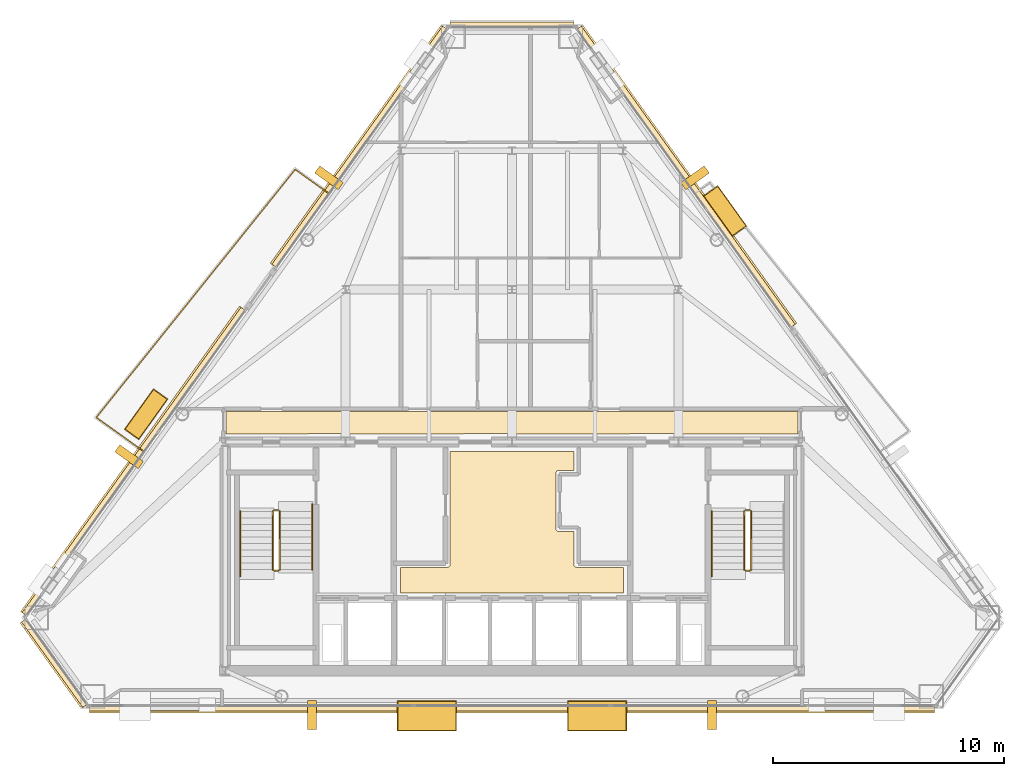
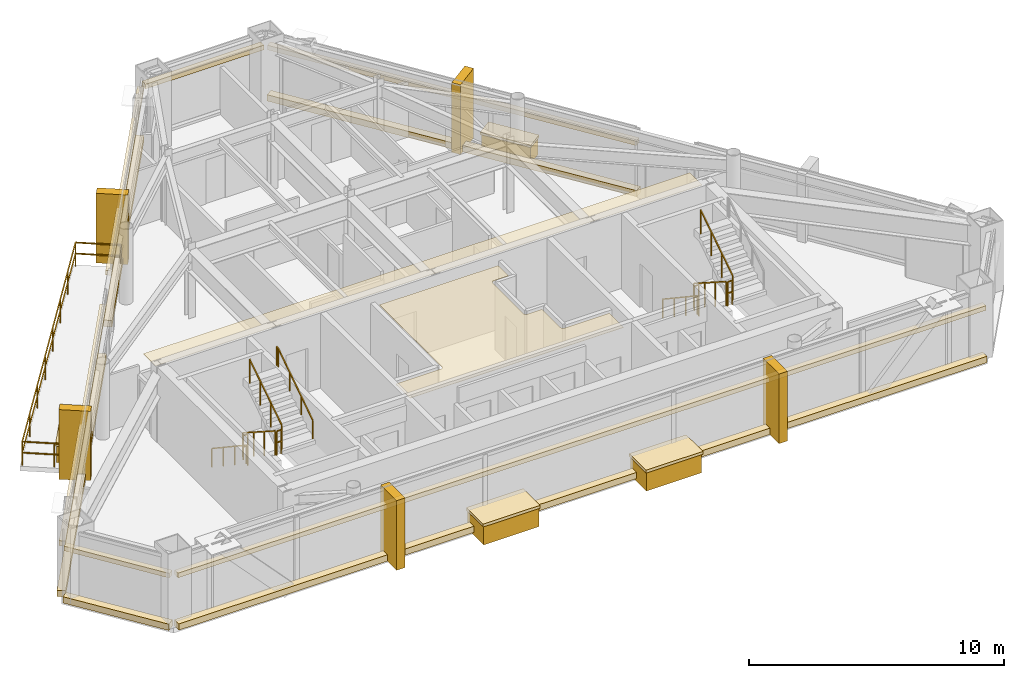
# One storey, part 10 of 11: 26 coverings, 12 railings.
"""IFC4 building model written with IfcOpenShell, lengths in metres."""

from ifc_helpers import new_model, si_unit, direction, frame, origin, origin_2d, place, context, subcontext, project, spatial, polyline, rectangle, outline, extrude, material, layer, layer_set, type_object, element, save


model = new_model("IFC4")

# Units and contexts
model_context = context("Model", 3, precision=1e-05, world=origin(), true_north=direction((0.0, 1.0)))
body_context = subcontext(model_context, "Body", "Model", "MODEL_VIEW")
ifc_project = project(units=[si_unit("LENGTHUNIT", "METRE"), si_unit("AREAUNIT", "SQUARE_METRE"), si_unit("VOLUMEUNIT", "CUBIC_METRE"), si_unit("PLANEANGLEUNIT", "RADIAN"), si_unit("MASSUNIT", "GRAM", prefix="KILO")], contexts=[model_context])

# Site, building, storey
site_placement = place(None, origin())
site = spatial("IfcSite", under=ifc_project, at=site_placement, CompositionType="ELEMENT")
building_placement = place(site_placement, origin())
building = spatial("IfcBuilding", under=site, at=building_placement, Name="Talgorran Terracotta Tower", CompositionType="ELEMENT")
storey_placement = place(building_placement, frame((0.0, 0.0, 240.60009765625)))
storey = spatial("IfcBuildingStorey", under=building, at=storey_placement, Name="L63", CompositionType="ELEMENT", Elevation=240.60009765625)

# Coverings
ifc_material_1 = material(Name="Kiln-Fired Terracotta Ochre Ceramic", Category="masonry")
ifc_layer_1 = layer(ifc_material_1, 0.179931640625, Name="COV_BAGUETTE_TERRACOTTA_SCREEN")
ifc_layer_set_1 = layer_set([ifc_layer_1], Name="Kiln-Fired Terracotta Ochre Ceramic")
covering_type_1 = type_object("IfcCoveringType", Name="COV_BAGUETTE_TERRACOTTA_SCREEN", PredefinedType="CLADDING", material=ifc_layer_set_1)
covering_1_placement = place(storey_placement, frame((-19.7880859375, -13.76318359375, 2.41015625), z_axis=(0.0, 0.0, 1.0), x_axis=(0.582662110936, -0.812714503673, 0.0)))
element("IfcCovering", 1, at=covering_1_placement, inside=storey, type_object=covering_type_1, Name="L63 Terracotta Baguette Solar Screen Assembly F0", PredefinedType="CLADDING", context=body_context, shape_type="SweptSolid", body=[
    extrude(rectangle(XDim=4.542724609375, YDim=0.260009765625, at=origin_2d()), origin(), (0.0, 0.0, 1.0), 0.219970703125),
])
covering_2_placement = place(storey_placement, frame((0.0, -15.707763671875, 2.41015625), z_axis=(0.0, 0.0, 1.0), x_axis=(1.0, 0.0, 0.0)))
element("IfcCovering", 2, at=covering_2_placement, inside=storey, type_object=covering_type_1, Name="L63 Terracotta Baguette Solar Screen Assembly F1", PredefinedType="CLADDING", context=body_context, shape_type="SweptSolid", body=[
    extrude(rectangle(XDim=36.545166015625, YDim=0.260009765625, at=origin_2d()), origin(), (0.0, 0.0, 1.0), 0.219970703125),
])
covering_3_placement = place(storey_placement, frame((7.521728515625, 7.2685546875, 2.41015625), z_axis=(0.0, 0.0, 1.0), x_axis=(-0.582662110936, 0.812714503673, 0.0)))
element("IfcCovering", 3, at=covering_3_placement, inside=storey, type_object=covering_type_1, Name="L63 Terracotta Baguette Solar Screen Assembly F41", PredefinedType="CLADDING", context=body_context, shape_type="SweptSolid", body=[
    extrude(rectangle(XDim=15.8701171875, YDim=0.260009765625, at=origin_2d()), origin(), (0.0, 0.0, 1.0), 0.219970703125),
])
covering_4_placement = place(storey_placement, frame((0.0, 13.8486328125, 2.41015625), z_axis=(0.0, 0.0, 1.0), x_axis=(-1.0, 0.0, 0.0)))
element("IfcCovering", 4, at=covering_4_placement, inside=storey, type_object=covering_type_1, Name="L63 Terracotta Baguette Solar Screen Assembly F4", PredefinedType="CLADDING", context=body_context, shape_type="SweptSolid", body=[
    extrude(rectangle(XDim=5.36572265625, YDim=0.260009765625, at=origin_2d()), origin(), (0.0, 0.0, 1.0), 0.219970703125),
])
covering_5_placement = place(storey_placement, frame((-6.5908203125, 8.56689453125, 2.41015625), z_axis=(0.0, 0.0, 1.0), x_axis=(-0.582662110936, -0.812714503673, 0.0)))
element("IfcCovering", 5, at=covering_5_placement, inside=storey, type_object=covering_type_1, Name="L63 Terracotta Baguette Solar Screen Assembly F60", PredefinedType="CLADDING", context=body_context, shape_type="SweptSolid", body=[
    extrude(rectangle(XDim=12.675048828125, YDim=0.260009765625, at=origin_2d()), origin(), (0.0, 0.0, 1.0), 0.219970703125),
])
covering_6_placement = place(storey_placement, frame((-16.35595703125, -5.0537109375, 2.41015625), z_axis=(0.0, 0.0, 1.0), x_axis=(-0.582662110936, -0.812714503673, 0.0)))
element("IfcCovering", 6, at=covering_6_placement, inside=storey, type_object=covering_type_1, Name="L63 Terracotta Baguette Solar Screen Assembly F61", PredefinedType="CLADDING", context=body_context, shape_type="SweptSolid", body=[
    extrude(rectangle(XDim=16.24365234375, YDim=0.260009765625, at=origin_2d()), origin(), (0.0, 0.0, 1.0), 0.219970703125),
])
ifc_material_2 = material(Name="Mineral Fibre Acoustic Tile")
ifc_layer_2 = layer(ifc_material_2, 0.02490234375, Name="COV_CEIL_ACOUSTIC")
ifc_layer_set_2 = layer_set([ifc_layer_2], Name="Mineral Fibre Acoustic Tile")
covering_type_2 = type_object("IfcCoveringType", Name="COV_CEIL_ACOUSTIC", PredefinedType="CEILING", material=ifc_layer_set_2)
covering_7_placement = place(storey_placement, frame((0.0, 0.0, 3.18994140625)))
element("IfcCovering", 7, at=covering_7_placement, inside=storey, type_object=covering_type_2, Name="CEIL-L63-2", PredefinedType="CEILING", context=body_context, shape_type="SweptSolid", body=[
    extrude(outline(polyline([(-12.364990234375, -2.885009765625), (12.364990234375, -2.885009765625), (12.364990234375, -3.844970703125), (7.432861328125, -3.844970703125), (6.968017578125, -3.843017578125), (6.967529296875, -3.843017578125), (0.232666015625, -3.844970703125), (-0.23193359375, -3.843017578125), (-0.232421875, -3.843017578125), (-6.96728515625, -3.844970703125), (-7.431884765625, -3.843017578125), (-7.4326171875, -3.843017578125), (-12.364990234375, -3.844970703125), (-12.364990234375, -2.885009765625)])), origin(), (0.0, 0.0, 1.0), 0.02001953125),
])
ifc_material_3 = material(Name="Flush Moisture-Resistant Plaster")
ifc_layer_3 = layer(ifc_material_3, 0.01806640625, Name="COV_CEIL_PLASTER")
ifc_layer_set_3 = layer_set([ifc_layer_3], Name="Flush Moisture-Resistant Plaster")
covering_type_3 = type_object("IfcCoveringType", Name="COV_CEIL_PLASTER", PredefinedType="CEILING", material=ifc_layer_set_3)
covering_8_placement = place(storey_placement, frame((0.0, 0.0, 3.18994140625)))
element("IfcCovering", 8, at=covering_8_placement, inside=storey, type_object=covering_type_3, Name="CEIL-L63-1", PredefinedType="CEILING", context=body_context, shape_type="SweptSolid", body=[
    extrude(outline(polyline([(4.830078125, -9.6201171875), (4.830078125, -10.72998046875), (-4.830078125, -10.72998046875), (-4.830078125, -9.6201171875), (-2.800048828125, -9.6201171875), (-2.7880859375, -9.619384765625), (-2.776611328125, -9.61767578125), (-2.76513671875, -9.61474609375), (-2.754150390625, -9.61083984375), (-2.743408203125, -9.605712890625), (-2.7333984375, -9.599853515625), (-2.723876953125, -9.5927734375), (-2.715087890625, -9.5849609375), (-2.707275390625, -9.576171875), (-2.7001953125, -9.566650390625), (-2.694091796875, -9.556640625), (-2.689208984375, -9.5458984375), (-2.685302734375, -9.534912109375), (-2.682373046875, -9.5234375), (-2.6806640625, -9.51171875), (-2.679931640625, -9.5), (-2.679931640625, -4.6201171875), (2.679931640625, -4.6201171875), (2.679931640625, -5.429931640625), (2.02001953125, -5.429931640625), (2.00830078125, -5.4306640625), (1.99658203125, -5.432373046875), (1.985107421875, -5.435302734375), (1.97412109375, -5.439208984375), (1.96337890625, -5.444091796875), (1.953369140625, -5.4501953125), (1.94384765625, -5.457275390625), (1.93505859375, -5.465087890625), (1.92724609375, -5.473876953125), (1.920166015625, -5.4833984375), (1.914306640625, -5.493408203125), (1.9091796875, -5.504150390625), (1.9052734375, -5.51513671875), (1.90234375, -5.526611328125), (1.900634765625, -5.5380859375), (1.89990234375, -5.550048828125), (1.89990234375, -7.949951171875), (1.900634765625, -7.9619140625), (1.90234375, -7.973388671875), (1.9052734375, -7.98486328125), (1.9091796875, -7.995849609375), (1.914306640625, -8.006591796875), (1.920166015625, -8.0166015625), (1.92724609375, -8.026123046875), (1.93505859375, -8.034912109375), (1.94384765625, -8.042724609375), (1.953369140625, -8.0498046875), (1.96337890625, -8.055908203125), (1.97412109375, -8.060791015625), (1.985107421875, -8.064697265625), (1.99658203125, -8.067626953125), (2.00830078125, -8.0693359375), (2.02001953125, -8.070068359375), (2.679931640625, -8.070068359375), (2.679931640625, -9.5), (2.6806640625, -9.51171875), (2.682373046875, -9.5234375), (2.685302734375, -9.534912109375), (2.689208984375, -9.5458984375), (2.694091796875, -9.556640625), (2.7001953125, -9.566650390625), (2.707275390625, -9.576171875), (2.715087890625, -9.5849609375), (2.723876953125, -9.5927734375), (2.7333984375, -9.599853515625), (2.743408203125, -9.605712890625), (2.754150390625, -9.61083984375), (2.76513671875, -9.61474609375), (2.776611328125, -9.61767578125), (2.7880859375, -9.619384765625), (2.800048828125, -9.6201171875), (4.830078125, -9.6201171875)])), origin(), (0.0, 0.0, 1.0), 0.02001953125),
])
ifc_material_4 = material(Name="Honed Limestone and Terracotta Planter", Category="masonry")
ifc_layer_4 = layer(ifc_material_4, 0.1201171875, Name="COV_PLANTER_BOX")
ifc_layer_set_4 = layer_set([ifc_layer_4], Name="Honed Limestone and Terracotta Planter")
covering_type_4 = type_object("IfcCoveringType", Name="COV_PLANTER_BOX", PredefinedType="CLADDING", material=ifc_layer_set_4)
for number, where, z_axis, x_axis, name in (
    (9, (-3.680908203125, -16.0478515625, -0.18017578125), (0.0, 0.0, 1.0), (1.0, 0.0, 0.0), "L63 Staggered South Facade Planter Box 1"),
    (10, (3.680908203125, -16.0478515625, -0.18017578125), (0.0, 0.0, 1.0), (1.0, 0.0, 0.0), "L63 Staggered South Facade Planter Box 2"),
):
    element("IfcCovering", number, at=place(storey_placement, frame(where, z_axis=z_axis, x_axis=x_axis)), inside=storey, type_object=covering_type_4, Name=name, PredefinedType="CLADDING", context=body_context, shape_type="SweptSolid", body=[
        extrude(rectangle(XDim=2.5, YDim=1.25, at=origin_2d()), origin(), (0.0, 0.0, 1.0), 0.919921875),
    ])
for number, where, z_axis, x_axis, name in (
    (11, (9.218017578125, 5.793212890625, -0.02001953125), (0.0, 0.0, 1.0), (-0.582662110936, 0.812714503673, 0.0), "L63 Staggered Balcony Planter Box BAL-NE"),
    (12, (-15.830322265625, -2.998779296875, -0.02001953125), (0.0, 0.0, 1.0), (-0.582662110936, -0.812714503673, 0.0), "L63 Staggered Balcony Planter Box BAL-NW"),
):
    element("IfcCovering", number, at=place(storey_placement, frame(where, z_axis=z_axis, x_axis=x_axis)), inside=storey, type_object=covering_type_4, Name=name, PredefinedType="CLADDING", context=body_context, shape_type="SweptSolid", body=[
        extrude(rectangle(XDim=2.10009765625, YDim=0.719970703125, at=origin_2d()), origin(), (0.0, 0.0, 1.0), 0.860107421875),
    ])
ifc_material_5 = material(Name="Kiln-Fired Terracotta Planter Rim", Category="masonry")
ifc_layer_5 = layer(ifc_material_5, 0.10009765625, Name="COV_PLANTER_RIM")
ifc_layer_set_5 = layer_set([ifc_layer_5], Name="Kiln-Fired Terracotta Planter Rim")
covering_type_5 = type_object("IfcCoveringType", Name="COV_PLANTER_RIM", PredefinedType="CLADDING", material=ifc_layer_set_5)
for number, where, z_axis, x_axis, name in (
    (13, (-3.680908203125, -16.0478515625, 0.7099609375), (0.0, 0.0, 1.0), (1.0, 0.0, 0.0), "L63 South Planter Terracotta Rim 1"),
    (14, (3.680908203125, -16.0478515625, 0.7099609375), (0.0, 0.0, 1.0), (1.0, 0.0, 0.0), "L63 South Planter Terracotta Rim 2"),
):
    element("IfcCovering", number, at=place(storey_placement, frame(where, z_axis=z_axis, x_axis=x_axis)), inside=storey, type_object=covering_type_5, Name=name, PredefinedType="CLADDING", context=body_context, shape_type="SweptSolid", body=[
        extrude(rectangle(XDim=2.580078125, YDim=1.320068359375, at=origin_2d()), origin(), (0.0, 0.0, 1.0), 0.139892578125),
    ])
for number, where, z_axis, x_axis, name in (
    (15, (9.218017578125, 5.793212890625, 0.7998046875), (0.0, 0.0, 1.0), (-0.582662110936, 0.812714503673, 0.0), "L63 Balcony Planter Terracotta Rim BAL-NE"),
    (16, (-15.830322265625, -2.998779296875, 0.7998046875), (0.0, 0.0, 1.0), (-0.582662110936, -0.812714503673, 0.0), "L63 Balcony Planter Terracotta Rim BAL-NW"),
):
    element("IfcCovering", number, at=place(storey_placement, frame(where, z_axis=z_axis, x_axis=x_axis)), inside=storey, type_object=covering_type_5, Name=name, PredefinedType="CLADDING", context=body_context, shape_type="SweptSolid", body=[
        extrude(rectangle(XDim=2.179931640625, YDim=0.780029296875, at=origin_2d()), origin(), (0.0, 0.0, 1.0), 0.1201171875),
    ])
ifc_material_6 = material(Name="Honed Limestone Cladding", Category="masonry")
ifc_layer_6 = layer(ifc_material_6, 0.094970703125, Name="COV_PORTAL_LIME")
ifc_layer_set_6 = layer_set([ifc_layer_6], Name="Honed Limestone Cladding")
covering_type_6 = type_object("IfcCoveringType", Name="COV_PORTAL_LIME", PredefinedType="CLADDING", material=ifc_layer_set_6)
for number, where, z_axis, x_axis, name in (
    (17, (-8.64990234375, -16.0078125, -0.050048828125), (0.0, 0.0, 1.0), (1.0, 0.0, 0.0), "L63 White Striped Portal Fin F1-1"),
    (18, (-7.919189453125, 7.22900390625, -0.050048828125), (0.0, 0.0, 1.0), (-0.582662110936, -0.812714503673, 0.0), "L63 White Striped Portal Fin F5-1"),
):
    element("IfcCovering", number, at=place(storey_placement, frame(where, z_axis=z_axis, x_axis=x_axis)), inside=storey, type_object=covering_type_6, Name=name, PredefinedType="CLADDING", context=body_context, shape_type="SweptSolid", body=[
        extrude(rectangle(XDim=0.3798828125, YDim=1.25, at=origin_2d()), origin(), (0.0, 0.0, 1.0), 3.330078125),
    ])
ifc_material_7 = material(Name="Kiln-Fired Terracotta Cladding", Category="masonry")
ifc_layer_7 = layer(ifc_material_7, 0.090087890625, Name="COV_PORTAL_TERRA")
ifc_layer_set_7 = layer_set([ifc_layer_7], Name="Kiln-Fired Terracotta Cladding")
covering_type_7 = type_object("IfcCoveringType", Name="COV_PORTAL_TERRA", PredefinedType="CLADDING", material=ifc_layer_set_7)
covering_9_placement = place(storey_placement, frame((-19.820556640625, -13.78662109375, -0.0400390625), z_axis=(0.0, 0.0, 1.0), x_axis=(0.582662110936, -0.812714503673, 0.0)))
element("IfcCovering", 19, at=covering_9_placement, inside=storey, type_object=covering_type_7, Name="L63 Striped Postmodern Portal Cladding Band F0", PredefinedType="CLADDING", context=body_context, shape_type="SweptSolid", body=[
    extrude(rectangle(XDim=4.562744140625, YDim=0.340087890625, at=origin_2d()), origin(), (0.0, 0.0, 1.0), 0.300048828125),
])
covering_10_placement = place(storey_placement, frame((0.0, -15.747802734375, -0.0400390625), z_axis=(0.0, 0.0, 1.0), x_axis=(1.0, 0.0, 0.0)))
element("IfcCovering", 20, at=covering_10_placement, inside=storey, type_object=covering_type_7, Name="L63 Striped Postmodern Portal Cladding Band F1", PredefinedType="CLADDING", context=body_context, shape_type="SweptSolid", body=[
    extrude(rectangle(XDim=36.565185546875, YDim=0.340087890625, at=origin_2d()), origin(), (0.0, 0.0, 1.0), 0.300048828125),
])
covering_11_placement = place(storey_placement, frame((7.55419921875, 7.291748046875, -0.0400390625), z_axis=(0.0, 0.0, 1.0), x_axis=(-0.582662110936, 0.812714503673, 0.0)))
element("IfcCovering", 21, at=covering_11_placement, inside=storey, type_object=covering_type_7, Name="L63 Striped Postmodern Portal Cladding Band F41", PredefinedType="CLADDING", context=body_context, shape_type="SweptSolid", body=[
    extrude(rectangle(XDim=15.89013671875, YDim=0.340087890625, at=origin_2d()), origin(), (0.0, 0.0, 1.0), 0.300048828125),
])
covering_12_placement = place(storey_placement, frame((-6.623291015625, 8.590087890625, -0.0400390625), z_axis=(0.0, 0.0, 1.0), x_axis=(-0.582662110936, -0.812714503673, 0.0)))
element("IfcCovering", 22, at=covering_12_placement, inside=storey, type_object=covering_type_7, Name="L63 Striped Postmodern Portal Cladding Band F60", PredefinedType="CLADDING", context=body_context, shape_type="SweptSolid", body=[
    extrude(rectangle(XDim=12.695068359375, YDim=0.340087890625, at=origin_2d()), origin(), (0.0, 0.0, 1.0), 0.300048828125),
])
covering_13_placement = place(storey_placement, frame((-16.388427734375, -5.0302734375, -0.0400390625), z_axis=(0.0, 0.0, 1.0), x_axis=(-0.582662110936, -0.812714503673, 0.0)))
element("IfcCovering", 23, at=covering_13_placement, inside=storey, type_object=covering_type_7, Name="L63 Striped Postmodern Portal Cladding Band F61", PredefinedType="CLADDING", context=body_context, shape_type="SweptSolid", body=[
    extrude(rectangle(XDim=16.263671875, YDim=0.340087890625, at=origin_2d()), origin(), (0.0, 0.0, 1.0), 0.300048828125),
])
for number, where, z_axis, x_axis, name in (
    (24, (8.64990234375, -16.0078125, -0.050048828125), (0.0, 0.0, 1.0), (1.0, 0.0, 0.0), "L63 Terracotta Striped Portal Fin F1-2"),
    (25, (7.919189453125, 7.22900390625, -0.050048828125), (0.0, 0.0, 1.0), (-0.582662110936, 0.812714503673, 0.0), "L63 Terracotta Striped Portal Fin F3-2"),
    (26, (-16.569091796875, -4.836181640625, -0.050048828125), (0.0, 0.0, 1.0), (-0.582662110936, -0.812714503673, 0.0), "L63 Terracotta Striped Portal Fin F5-2"),
):
    element("IfcCovering", number, at=place(storey_placement, frame(where, z_axis=z_axis, x_axis=x_axis)), inside=storey, type_object=covering_type_7, Name=name, PredefinedType="CLADDING", context=body_context, shape_type="SweptSolid", body=[
        extrude(rectangle(XDim=0.3798828125, YDim=1.25, at=origin_2d()), origin(), (0.0, 0.0, 1.0), 3.330078125),
    ])

# Railings
ifc_material_8 = material(Name="Laminated Glass and Stainless Steel 316", Category="steel")
railing_type_1 = type_object("IfcRailingType", Name="RL_BALCONY_1150", PredefinedType="BALUSTRADE", material=ifc_material_8)
railing_1_placement = place(storey_placement, frame((-7.93310546875, 6.5576171875, 0.0)))
element("IfcRailing", 27, at=railing_1_placement, inside=storey, type_object=railing_type_1, Name="RL-L63-BAL-BAL-NW", PredefinedType="BALUSTRADE", context=body_context, shape_type="SweptSolid", body=[
    extrude(rectangle(XDim=0.048095703125, YDim=0.048095703125, at=origin_2d()), frame((0.0, 0.0, 1.1259765625), z_axis=(-0.812666701816, 0.582728780617, 0.0), x_axis=(-0.582728780617, -0.812666701816, 0.0)), (0.0, 0.0, 1.0), 1.780517578125),
    extrude(rectangle(XDim=0.048095703125, YDim=0.048095703125, at=origin_2d()), frame((0.0, 0.0, 0.597900390625), z_axis=(-0.812666701816, 0.582728780617, 0.0), x_axis=(-0.582728780617, -0.812666701816, 0.0)), (0.0, 0.0, 1.0), 1.780517578125),
    extrude(rectangle(XDim=0.048095703125, YDim=0.048095703125, at=origin_2d()), frame((-1.447021484375, 1.03759765625, 1.1259765625), z_axis=(-0.625571093208, -0.780167166281, 0.0), x_axis=(0.780167166281, -0.625571093208, 0.0)), (0.0, 0.0, 1.0), 13.758056640625),
    extrude(rectangle(XDim=0.048095703125, YDim=0.048095703125, at=origin_2d()), frame((-1.447021484375, 1.03759765625, 0.597900390625), z_axis=(-0.625571093208, -0.780167166281, 0.0), x_axis=(0.780167166281, -0.625571093208, 0.0)), (0.0, 0.0, 1.0), 13.758056640625),
    extrude(rectangle(XDim=0.048095703125, YDim=0.048095703125, at=origin_2d()), frame((-10.0537109375, -9.696044921875, 1.1259765625), z_axis=(0.812724655346, -0.582647950818, 0.0), x_axis=(0.582647950818, 0.812724655346, 0.0)), (0.0, 0.0, 1.0), 2.521240234375),
    extrude(rectangle(XDim=0.048095703125, YDim=0.048095703125, at=origin_2d()), frame((-10.0537109375, -9.696044921875, 0.597900390625), z_axis=(0.812724655346, -0.582647950818, 0.0), x_axis=(0.582647950818, 0.812724655346, 0.0)), (0.0, 0.0, 1.0), 2.521240234375),
    extrude(rectangle(XDim=0.0419921875, YDim=0.0419921875, at=origin_2d()), origin(), (0.0, 0.0, 1.0), 1.101806640625),
    extrude(rectangle(XDim=0.0419921875, YDim=0.0419921875, at=origin_2d()), frame((-1.447021484375, 1.03759765625, 0.0)), (0.0, 0.0, 1.0), 1.101806640625),
    extrude(rectangle(XDim=0.0419921875, YDim=0.0419921875, at=origin_2d()), frame((-2.676513671875, -0.495849609375, 0.0)), (0.0, 0.0, 1.0), 1.101806640625),
    extrude(rectangle(XDim=0.0419921875, YDim=0.0419921875, at=origin_2d()), frame((-3.906005859375, -2.029052734375, 0.0)), (0.0, 0.0, 1.0), 1.101806640625),
    extrude(rectangle(XDim=0.0419921875, YDim=0.0419921875, at=origin_2d()), frame((-5.135498046875, -3.5625, 0.0)), (0.0, 0.0, 1.0), 1.101806640625),
    extrude(rectangle(XDim=0.0419921875, YDim=0.0419921875, at=origin_2d()), frame((-6.365234375, -5.095947265625, 0.0)), (0.0, 0.0, 1.0), 1.101806640625),
    extrude(rectangle(XDim=0.0419921875, YDim=0.0419921875, at=origin_2d()), frame((-7.5947265625, -6.62939453125, 0.0)), (0.0, 0.0, 1.0), 1.101806640625),
    extrude(rectangle(XDim=0.0419921875, YDim=0.0419921875, at=origin_2d()), frame((-8.82421875, -8.16259765625, 0.0)), (0.0, 0.0, 1.0), 1.101806640625),
    extrude(rectangle(XDim=0.0419921875, YDim=0.0419921875, at=origin_2d()), frame((-10.0537109375, -9.696044921875, 0.0)), (0.0, 0.0, 1.0), 1.101806640625),
    extrude(rectangle(XDim=0.0419921875, YDim=0.0419921875, at=origin_2d()), frame((-9.029296875, -10.4306640625, 0.0)), (0.0, 0.0, 1.0), 1.101806640625),
    extrude(rectangle(XDim=0.0419921875, YDim=0.0419921875, at=origin_2d()), frame((-8.004638671875, -11.1650390625, 0.0)), (0.0, 0.0, 1.0), 1.101806640625),
])
ifc_material_9 = material(Name="Steel S355 (300PLUS)", Category="steel")
railing_type_2 = type_object("IfcRailingType", Name="RL_HANDRAIL_920", PredefinedType="HANDRAIL", material=ifc_material_9)
railing_2_placement = place(storey_placement, frame((-11.75, -7.199951171875, 0.179931640625)))
element("IfcRailing", 28, at=railing_2_placement, inside=storey, type_object=railing_type_2, Name="L63 ST-01 stair handrail 1", PredefinedType="HANDRAIL", context=body_context, shape_type="SweptSolid", body=[
    extrude(rectangle(XDim=0.048095703125, YDim=0.048095703125, at=origin_2d()), frame((0.0, 0.0, 0.89599609375), z_axis=(0.0, -0.832038719335, 0.554717558338), x_axis=(1.0, 0.0, 0.0)), (0.0, 0.0, 1.0), 3.244873046875),
    extrude(rectangle(XDim=0.048095703125, YDim=0.048095703125, at=origin_2d()), frame((0.0, -2.699951171875, 2.69580078125), z_axis=(0.0, -1.0, 0.0), x_axis=(1.0, 0.0, 0.0)), (0.0, 0.0, 1.0), 0.1201171875),
    extrude(rectangle(XDim=0.0419921875, YDim=0.0419921875, at=origin_2d()), origin(), (0.0, 0.0, 1.0), 0.871826171875),
    extrude(rectangle(XDim=0.0419921875, YDim=0.0419921875, at=origin_2d()), frame((0.0, -0.89990234375, 0.60009765625)), (0.0, 0.0, 1.0), 0.871826171875),
    extrude(rectangle(XDim=0.0419921875, YDim=0.0419921875, at=origin_2d()), frame((0.0, -1.800048828125, 1.199951171875)), (0.0, 0.0, 1.0), 0.871826171875),
    extrude(rectangle(XDim=0.0419921875, YDim=0.0419921875, at=origin_2d()), frame((0.0, -2.699951171875, 1.800048828125)), (0.0, 0.0, 1.0), 0.871826171875),
    extrude(rectangle(XDim=0.0419921875, YDim=0.0419921875, at=origin_2d()), frame((0.0, -2.820068359375, 1.800048828125)), (0.0, 0.0, 1.0), 0.871826171875),
])
railing_3_placement = place(storey_placement, frame((-8.64990234375, -9.719970703125, 1.97998046875)))
element("IfcRailing", 29, at=railing_3_placement, inside=storey, type_object=railing_type_2, Name="L63 ST-01 stair handrail 2", PredefinedType="HANDRAIL", context=body_context, shape_type="SweptSolid", body=[
    extrude(rectangle(XDim=0.048095703125, YDim=0.048095703125, at=origin_2d()), frame((0.0, 0.0, 0.89599609375), z_axis=(0.0, 0.832073444223, 0.554665469827), x_axis=(-1.0, 0.0, 0.0)), (0.0, 0.0, 1.0), 3.244873046875),
    extrude(rectangle(XDim=0.048095703125, YDim=0.048095703125, at=origin_2d()), frame((0.0, 2.699951171875, 2.69580078125), z_axis=(0.0, 1.0, 0.0), x_axis=(-1.0, 0.0, 0.0)), (0.0, 0.0, 1.0), 0.1201171875),
    extrude(rectangle(XDim=0.0419921875, YDim=0.0419921875, at=origin_2d()), origin(), (0.0, 0.0, 1.0), 0.871826171875),
    extrude(rectangle(XDim=0.0419921875, YDim=0.0419921875, at=origin_2d()), frame((0.0, 0.89990234375, 0.599853515625)), (0.0, 0.0, 1.0), 0.871826171875),
    extrude(rectangle(XDim=0.0419921875, YDim=0.0419921875, at=origin_2d()), frame((0.0, 1.800048828125, 1.199951171875)), (0.0, 0.0, 1.0), 0.871826171875),
    extrude(rectangle(XDim=0.0419921875, YDim=0.0419921875, at=origin_2d()), frame((0.0, 2.699951171875, 1.7998046875)), (0.0, 0.0, 1.0), 0.871826171875),
    extrude(rectangle(XDim=0.0419921875, YDim=0.0419921875, at=origin_2d()), frame((0.0, 2.820068359375, 1.7998046875)), (0.0, 0.0, 1.0), 0.871826171875),
])
railing_4_placement = place(storey_placement, frame((8.64990234375, -7.199951171875, 0.179931640625)))
element("IfcRailing", 30, at=railing_4_placement, inside=storey, type_object=railing_type_2, Name="L63 ST-02 stair handrail 1", PredefinedType="HANDRAIL", context=body_context, shape_type="SweptSolid", body=[
    extrude(rectangle(XDim=0.048095703125, YDim=0.048095703125, at=origin_2d()), frame((0.0, 0.0, 0.89599609375), z_axis=(0.0, -0.832038719335, 0.554717558338), x_axis=(1.0, 0.0, 0.0)), (0.0, 0.0, 1.0), 3.244873046875),
    extrude(rectangle(XDim=0.048095703125, YDim=0.048095703125, at=origin_2d()), frame((0.0, -2.699951171875, 2.69580078125), z_axis=(0.0, -1.0, 0.0), x_axis=(1.0, 0.0, 0.0)), (0.0, 0.0, 1.0), 0.1201171875),
    extrude(rectangle(XDim=0.0419921875, YDim=0.0419921875, at=origin_2d()), origin(), (0.0, 0.0, 1.0), 0.871826171875),
    extrude(rectangle(XDim=0.0419921875, YDim=0.0419921875, at=origin_2d()), frame((0.0, -0.89990234375, 0.60009765625)), (0.0, 0.0, 1.0), 0.871826171875),
    extrude(rectangle(XDim=0.0419921875, YDim=0.0419921875, at=origin_2d()), frame((0.0, -1.800048828125, 1.199951171875)), (0.0, 0.0, 1.0), 0.871826171875),
    extrude(rectangle(XDim=0.0419921875, YDim=0.0419921875, at=origin_2d()), frame((0.0, -2.699951171875, 1.800048828125)), (0.0, 0.0, 1.0), 0.871826171875),
    extrude(rectangle(XDim=0.0419921875, YDim=0.0419921875, at=origin_2d()), frame((0.0, -2.820068359375, 1.800048828125)), (0.0, 0.0, 1.0), 0.871826171875),
])
railing_type_3 = type_object("IfcRailingType", Name="RL_STAIR_GUARD", PredefinedType="GUARDRAIL", material=ifc_material_9)
railing_5_placement = place(storey_placement, frame((-10.35009765625, -7.199951171875, 0.179931640625)))
element("IfcRailing", 31, at=railing_5_placement, inside=storey, type_object=railing_type_3, Name="L63 ST-01 stair guard 1", PredefinedType="GUARDRAIL", context=body_context, shape_type="SweptSolid", body=[
    extrude(rectangle(XDim=0.048095703125, YDim=0.048095703125, at=origin_2d()), frame((0.0, 0.0, 1.15576171875), z_axis=(0.0, -0.841199657755, 0.540724639528), x_axis=(1.0, 0.0, 0.0)), (0.0, 0.0, 1.0), 2.995849609375),
    extrude(rectangle(XDim=0.0419921875, YDim=0.0419921875, at=origin_2d()), origin(), (0.0, 0.0, 1.0), 1.1318359375),
    extrude(rectangle(XDim=0.0419921875, YDim=0.0419921875, at=origin_2d()), frame((0.0, -0.840087890625, 0.5400390625)), (0.0, 0.0, 1.0), 1.1318359375),
    extrude(rectangle(XDim=0.0419921875, YDim=0.0419921875, at=origin_2d()), frame((0.0, -1.679931640625, 1.079833984375)), (0.0, 0.0, 1.0), 1.1318359375),
    extrude(rectangle(XDim=0.0419921875, YDim=0.0419921875, at=origin_2d()), frame((0.0, -2.52001953125, 1.619873046875)), (0.0, 0.0, 1.0), 1.1318359375),
])
railing_6_placement = place(storey_placement, frame((-10.300048828125, -9.77001953125, 1.7998046875)))
element("IfcRailing", 32, at=railing_6_placement, inside=storey, type_object=railing_type_3, Name="L63 ST-01 stair guard 2", PredefinedType="GUARDRAIL", context=body_context, shape_type="SweptSolid", body=[
    extrude(rectangle(XDim=0.048095703125, YDim=0.048095703125, at=origin_2d()), frame((0.0, 0.0, 1.15576171875), z_axis=(1.0, 0.0, 0.0), x_axis=(0.0, 1.0, 0.0)), (0.0, 0.0, 1.0), 0.199951171875),
    extrude(rectangle(XDim=0.048095703125, YDim=0.048095703125, at=origin_2d()), frame((0.0, 0.0, 0.613525390625), z_axis=(1.0, 0.0, 0.0), x_axis=(0.0, 1.0, 0.0)), (0.0, 0.0, 1.0), 0.199951171875),
    extrude(rectangle(XDim=0.0419921875, YDim=0.0419921875, at=origin_2d()), origin(), (0.0, 0.0, 1.0), 1.1318359375),
    extrude(rectangle(XDim=0.0419921875, YDim=0.0419921875, at=origin_2d()), frame((0.199951171875, 0.0, 0.0)), (0.0, 0.0, 1.0), 1.1318359375),
])
railing_7_placement = place(storey_placement, frame((-10.050048828125, -9.719970703125, 1.97998046875)))
element("IfcRailing", 33, at=railing_7_placement, inside=storey, type_object=railing_type_3, Name="L63 ST-01 stair guard 3", PredefinedType="GUARDRAIL", context=body_context, shape_type="SweptSolid", body=[
    extrude(rectangle(XDim=0.048095703125, YDim=0.048095703125, at=origin_2d()), frame((0.0, 0.0, 1.15576171875), z_axis=(0.0, 0.841199657755, 0.540724639528), x_axis=(-1.0, 0.0, 0.0)), (0.0, 0.0, 1.0), 2.995849609375),
    extrude(rectangle(XDim=0.0419921875, YDim=0.0419921875, at=origin_2d()), origin(), (0.0, 0.0, 1.0), 1.1318359375),
    extrude(rectangle(XDim=0.0419921875, YDim=0.0419921875, at=origin_2d()), frame((0.0, 0.840087890625, 0.5400390625)), (0.0, 0.0, 1.0), 1.1318359375),
    extrude(rectangle(XDim=0.0419921875, YDim=0.0419921875, at=origin_2d()), frame((0.0, 1.679931640625, 1.079833984375)), (0.0, 0.0, 1.0), 1.1318359375),
    extrude(rectangle(XDim=0.0419921875, YDim=0.0419921875, at=origin_2d()), frame((0.0, 2.52001953125, 1.619873046875)), (0.0, 0.0, 1.0), 1.1318359375),
])
railing_8_placement = place(storey_placement, frame((-10.300048828125, -7.14990234375, 0.0)))
element("IfcRailing", 34, at=railing_8_placement, inside=storey, type_object=railing_type_3, Name="L63 ST-01 stair guard 4", PredefinedType="GUARDRAIL", context=body_context, shape_type="SweptSolid", body=[
    extrude(rectangle(XDim=0.048095703125, YDim=0.048095703125, at=origin_2d()), frame((0.0, 0.0, 1.15576171875), z_axis=(1.0, 0.0, 0.0), x_axis=(0.0, 1.0, 0.0)), (0.0, 0.0, 1.0), 0.199951171875),
    extrude(rectangle(XDim=0.048095703125, YDim=0.048095703125, at=origin_2d()), frame((0.0, 0.0, 0.613525390625), z_axis=(1.0, 0.0, 0.0), x_axis=(0.0, 1.0, 0.0)), (0.0, 0.0, 1.0), 0.199951171875),
    extrude(rectangle(XDim=0.0419921875, YDim=0.0419921875, at=origin_2d()), origin(), (0.0, 0.0, 1.0), 1.1318359375),
    extrude(rectangle(XDim=0.0419921875, YDim=0.0419921875, at=origin_2d()), frame((0.199951171875, 0.0, 0.0)), (0.0, 0.0, 1.0), 1.1318359375),
])
railing_9_placement = place(storey_placement, frame((10.050048828125, -7.199951171875, 0.179931640625)))
element("IfcRailing", 35, at=railing_9_placement, inside=storey, type_object=railing_type_3, Name="L63 ST-02 stair guard 1", PredefinedType="GUARDRAIL", context=body_context, shape_type="SweptSolid", body=[
    extrude(rectangle(XDim=0.048095703125, YDim=0.048095703125, at=origin_2d()), frame((0.0, 0.0, 1.15576171875), z_axis=(0.0, -0.841199657755, 0.540724639528), x_axis=(1.0, 0.0, 0.0)), (0.0, 0.0, 1.0), 2.995849609375),
    extrude(rectangle(XDim=0.0419921875, YDim=0.0419921875, at=origin_2d()), origin(), (0.0, 0.0, 1.0), 1.1318359375),
    extrude(rectangle(XDim=0.0419921875, YDim=0.0419921875, at=origin_2d()), frame((0.0, -0.840087890625, 0.5400390625)), (0.0, 0.0, 1.0), 1.1318359375),
    extrude(rectangle(XDim=0.0419921875, YDim=0.0419921875, at=origin_2d()), frame((0.0, -1.679931640625, 1.079833984375)), (0.0, 0.0, 1.0), 1.1318359375),
    extrude(rectangle(XDim=0.0419921875, YDim=0.0419921875, at=origin_2d()), frame((0.0, -2.52001953125, 1.619873046875)), (0.0, 0.0, 1.0), 1.1318359375),
])
railing_10_placement = place(storey_placement, frame((10.10009765625, -9.77001953125, 1.7998046875)))
element("IfcRailing", 36, at=railing_10_placement, inside=storey, type_object=railing_type_3, Name="L63 ST-02 stair guard 2", PredefinedType="GUARDRAIL", context=body_context, shape_type="SweptSolid", body=[
    extrude(rectangle(XDim=0.048095703125, YDim=0.048095703125, at=origin_2d()), frame((0.0, 0.0, 1.15576171875), z_axis=(1.0, 0.0, 0.0), x_axis=(0.0, 1.0, 0.0)), (0.0, 0.0, 1.0), 0.199951171875),
    extrude(rectangle(XDim=0.048095703125, YDim=0.048095703125, at=origin_2d()), frame((0.0, 0.0, 0.613525390625), z_axis=(1.0, 0.0, 0.0), x_axis=(0.0, 1.0, 0.0)), (0.0, 0.0, 1.0), 0.199951171875),
    extrude(rectangle(XDim=0.0419921875, YDim=0.0419921875, at=origin_2d()), origin(), (0.0, 0.0, 1.0), 1.1318359375),
    extrude(rectangle(XDim=0.0419921875, YDim=0.0419921875, at=origin_2d()), frame((0.199951171875, 0.0, 0.0)), (0.0, 0.0, 1.0), 1.1318359375),
])
railing_11_placement = place(storey_placement, frame((10.35009765625, -9.719970703125, 1.97998046875)))
element("IfcRailing", 37, at=railing_11_placement, inside=storey, type_object=railing_type_3, Name="L63 ST-02 stair guard 3", PredefinedType="GUARDRAIL", context=body_context, shape_type="SweptSolid", body=[
    extrude(rectangle(XDim=0.048095703125, YDim=0.048095703125, at=origin_2d()), frame((0.0, 0.0, 1.15576171875), z_axis=(0.0, 0.841199657755, 0.540724639528), x_axis=(-1.0, 0.0, 0.0)), (0.0, 0.0, 1.0), 2.995849609375),
    extrude(rectangle(XDim=0.0419921875, YDim=0.0419921875, at=origin_2d()), origin(), (0.0, 0.0, 1.0), 1.1318359375),
    extrude(rectangle(XDim=0.0419921875, YDim=0.0419921875, at=origin_2d()), frame((0.0, 0.840087890625, 0.5400390625)), (0.0, 0.0, 1.0), 1.1318359375),
    extrude(rectangle(XDim=0.0419921875, YDim=0.0419921875, at=origin_2d()), frame((0.0, 1.679931640625, 1.079833984375)), (0.0, 0.0, 1.0), 1.1318359375),
    extrude(rectangle(XDim=0.0419921875, YDim=0.0419921875, at=origin_2d()), frame((0.0, 2.52001953125, 1.619873046875)), (0.0, 0.0, 1.0), 1.1318359375),
])
railing_12_placement = place(storey_placement, frame((10.10009765625, -7.14990234375, 0.0)))
element("IfcRailing", 38, at=railing_12_placement, inside=storey, type_object=railing_type_3, Name="L63 ST-02 stair guard 4", PredefinedType="GUARDRAIL", context=body_context, shape_type="SweptSolid", body=[
    extrude(rectangle(XDim=0.048095703125, YDim=0.048095703125, at=origin_2d()), frame((0.0, 0.0, 1.15576171875), z_axis=(1.0, 0.0, 0.0), x_axis=(0.0, 1.0, 0.0)), (0.0, 0.0, 1.0), 0.199951171875),
    extrude(rectangle(XDim=0.048095703125, YDim=0.048095703125, at=origin_2d()), frame((0.0, 0.0, 0.613525390625), z_axis=(1.0, 0.0, 0.0), x_axis=(0.0, 1.0, 0.0)), (0.0, 0.0, 1.0), 0.199951171875),
    extrude(rectangle(XDim=0.0419921875, YDim=0.0419921875, at=origin_2d()), origin(), (0.0, 0.0, 1.0), 1.1318359375),
    extrude(rectangle(XDim=0.0419921875, YDim=0.0419921875, at=origin_2d()), frame((0.199951171875, 0.0, 0.0)), (0.0, 0.0, 1.0), 1.1318359375),
])

save(model, "model.ifc")
